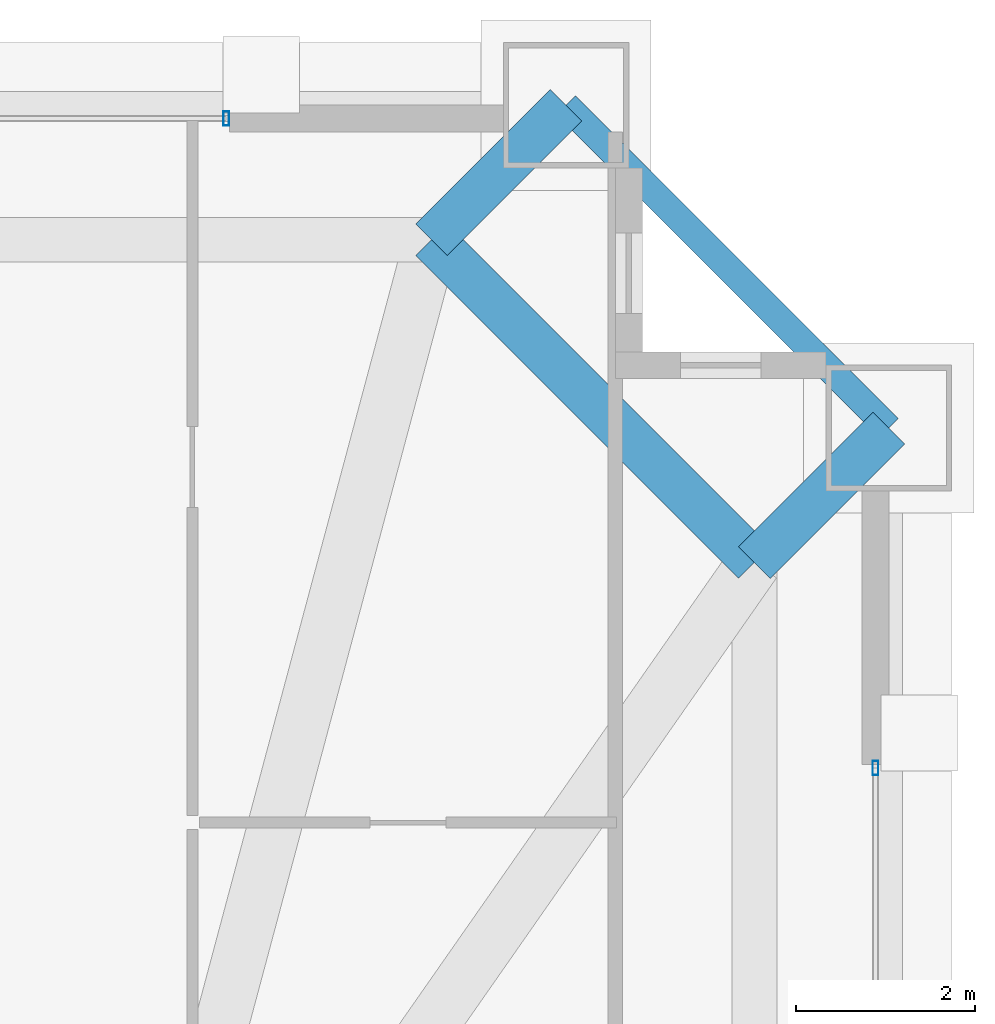
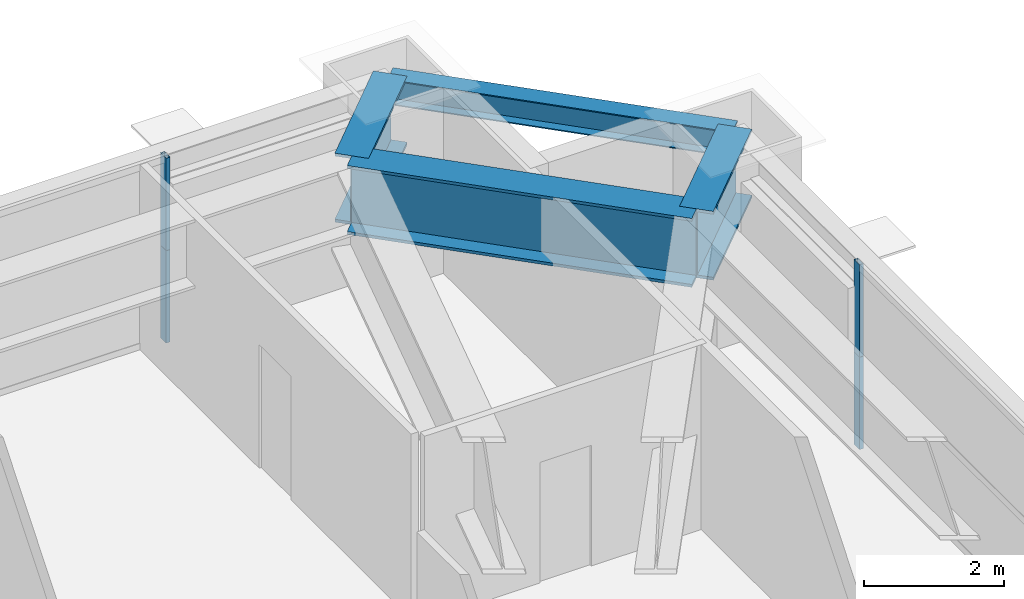
# One storey, part 32 of 39: 4 beams, 4 members, 2 elements without a shape of their own.
"""IFC4 building model written with IfcOpenShell, lengths in metres."""

from ifc_helpers import new_model, si_unit, direction, frame, origin, origin_2d, place, context, subcontext, project, spatial, hollow_rectangle, i_section, extrude, source, transform, mapped, material, layer, layer_set, material_profile, profile_set, type_object, element, aggregate, save


model = new_model("IFC4")

# Units and contexts
model_context = context("Model", 3, precision=1e-05, world=origin(), true_north=direction((0.0, 1.0)))
body_context = subcontext(model_context, "Body", "Model", "MODEL_VIEW")
ifc_project = project(units=[si_unit("LENGTHUNIT", "METRE"), si_unit("AREAUNIT", "SQUARE_METRE"), si_unit("VOLUMEUNIT", "CUBIC_METRE"), si_unit("PLANEANGLEUNIT", "RADIAN"), si_unit("MASSUNIT", "GRAM", prefix="KILO"), si_unit("THERMODYNAMICTEMPERATUREUNIT", "KELVIN"), si_unit("POWERUNIT", "WATT")], contexts=[model_context])

# Site, building, storey
site_placement = place(None, origin())
site = spatial("IfcSite", under=ifc_project, at=site_placement, CompositionType="ELEMENT")
building_placement = place(site_placement, origin())
building = spatial("IfcBuilding", under=site, at=building_placement, Name="Yuzanri Waterfront Tower", CompositionType="ELEMENT")
storey_placement = place(building_placement, frame((0.0, 0.0, 216.0)))
storey = spatial("IfcBuildingStorey", under=building, at=storey_placement, Name="L57", CompositionType="ELEMENT", Elevation=216.0)

# Beams
ifc_material_1 = material(Name="Steel Q420GJC", Category="steel")
ifc_material_profile_1 = material_profile(ifc_material_1, i_section(OverallWidth=0.5, OverallDepth=1.199951171875, WebThickness=0.028076171875, FlangeThickness=0.050048828125, at=origin_2d()), Name="PG 1200x500x28x50")
ifc_profile_set_1 = profile_set([ifc_material_profile_1], Name="Steel Q420GJC")
beam_type_1 = type_object("IfcBeamType", Name="Setback Transfer Girder Q420GJC PG 1200x500", PredefinedType="USERDEFINED", material=ifc_profile_set_1)
shared_shape_1 = source(origin(), body_context, "Body", "SweptSolid", [
    extrude(i_section(OverallWidth=0.5, OverallDepth=1.199951171875, WebThickness=0.028076171875, FlangeThickness=0.050048828125, at=origin_2d()), origin(), (0.0, 0.0, 1.0), 2.121337890625),
])
for number, where, z_axis, x_axis, name in (
    (1, (54.0, 46.39990234375, 2.6201171875), (0.707106781187, 0.707106781187, 0.0), (-0.707106781187, 0.707106781187, 0.0), "L57 Setback Step Transfer N3"),
    (2, (57.60009765625, 42.800048828125, 2.6201171875), (0.707106781187, 0.707106781187, 0.0), (-0.707106781187, 0.707106781187, 0.0), "L57 Setback Step Transfer E3"),
):
    element("IfcBeam", number, at=place(storey_placement, frame(where, z_axis=z_axis, x_axis=x_axis)), inside=storey, type_object=beam_type_1, Name=name, ObjectType="GIRDER", PredefinedType="USERDEFINED", context=body_context, shape_type="MappedRepresentation", body=[
        mapped(shared_shape_1, transform((0.0, 0.0, 0.0), scale=1.0)),
    ])
shared_shape_2 = source(origin(), body_context, "Body", "SweptSolid", [
    extrude(i_section(OverallWidth=0.5, OverallDepth=1.199951171875, WebThickness=0.028076171875, FlangeThickness=0.050048828125, at=origin_2d()), origin(), (0.0, 0.0, 1.0), 5.091064453125),
])
beam_1_placement = place(storey_placement, frame((57.60009765625, 42.800048828125, 2.6201171875), z_axis=(-0.707130757816, 0.707082803744, 0.0), x_axis=(-0.707082803744, -0.707130757816, 0.0)))
element("IfcBeam", 3, at=beam_1_placement, inside=storey, type_object=beam_type_1, Name="L57 Setback Upper Ring E3-N3", ObjectType="GIRDER", PredefinedType="USERDEFINED", context=body_context, shape_type="MappedRepresentation", body=[
    mapped(shared_shape_2, transform((0.0, 0.0, 0.0), scale=1.0)),
])
ifc_material_2 = material(Name="Steel Q355B", Category="steel")
ifc_material_profile_2 = material_profile(ifc_material_2, i_section(OverallWidth=0.300048828125, OverallDepth=0.43994140625, WebThickness=0.010986328125, FlangeThickness=0.01806640625, at=origin_2d()), Name="HM 440x300x11x18")
ifc_profile_set_2 = profile_set([ifc_material_profile_2], Name="Steel Q355B")
beam_type_2 = type_object("IfcBeamType", Name="Perimeter Spandrel Q355B HM 440x300", PredefinedType="SPANDREL", material=ifc_profile_set_2)
shared_shape_3 = source(origin(), body_context, "Body", "SweptSolid", [
    extrude(i_section(OverallWidth=0.300048828125, OverallDepth=0.43994140625, WebThickness=0.010986328125, FlangeThickness=0.01806640625, at=origin_2d()), origin(), (0.0, 0.0, 1.0), 5.091064453125),
])
beam_2_placement = place(storey_placement, frame((59.10009765625, 44.300048828125, 3.0), z_axis=(-0.707130757816, 0.707082803744, 0.0), x_axis=(-0.707082803744, -0.707130757816, 0.0)))
element("IfcBeam", 4, at=beam_2_placement, inside=storey, type_object=beam_type_2, Name="L57 Perimeter Spandrel E3-N3", PredefinedType="SPANDREL", context=body_context, shape_type="MappedRepresentation", body=[
    mapped(shared_shape_3, transform((0.0, 0.0, 0.0), scale=1.0)),
])

# Curtain wall, members
ifc_material_3 = material(Name="Anodized Architectural Bronze", Category="metal")
ifc_layer = layer(ifc_material_3, 0.159912109375)
ifc_layer_set = layer_set([ifc_layer], Name="Anodized Architectural Bronze")
curtain_wall_type = type_object("IfcCurtainWallType", Name="Anodized Bronze Mid-Rise Residential Acoustic Unitized Curtain Wall 7200", PredefinedType="NOTDEFINED", material=ifc_layer_set)
curtain_wall_1_placement = place(storey_placement, origin())
curtain_wall_1 = element("IfcCurtainWall", 5, at=curtain_wall_1_placement, inside=storey, type_object=curtain_wall_type, Name="L57 Curtain Wall CW-L57-NR", PredefinedType="NOTDEFINED")
ifc_material_4 = material(Name="Anodized Architectural Bronze", Category="metal")
ifc_material_profile_3 = material_profile(ifc_material_4, hollow_rectangle(XDim=0.06494140625, YDim=0.159912109375, WallThickness=0.00341796875, at=origin_2d()), Name="CWM 65x160")
ifc_profile_set_3 = profile_set([ifc_material_profile_3], Name="Anodized Architectural Bronze")
member_type = type_object("IfcMemberType", Name="Anodized Bronze Upper-Zone Curtain-Wall Mullion 65x160", PredefinedType="MULLION", material=ifc_profile_set_3)
shared_shape_4 = source(origin(), body_context, "Body", "SweptSolid", [
    extrude(hollow_rectangle(XDim=0.06494140625, YDim=0.159912109375, WallThickness=0.00341796875, at=origin_2d()), origin(), (0.0, 0.0, 1.0), 1.60791015625),
])
member_1_placement = place(storey_placement, frame((51.7099609375, 47.75, 0.0), z_axis=(0.0, 0.0, 1.0), x_axis=(1.0, 0.0, 0.0)))
member_1 = element("IfcMember", 6, at=member_1_placement, type_object=member_type, Name="CW-L57-NR Lower Mullion 02", PredefinedType="MULLION", context=body_context, shape_type="MappedRepresentation", body=[
    mapped(shared_shape_4, transform((0.0, 0.0, 0.0), scale=1.0)),
])
member_2_placement = place(storey_placement, frame((51.7099609375, 47.75, 1.612060546875), z_axis=(0.0, 0.0, 1.0), x_axis=(1.0, 0.0, 0.0)))
member_2 = element("IfcMember", 7, at=member_2_placement, type_object=member_type, Name="CW-L57-NR Upper Mullion 02", PredefinedType="MULLION", context=body_context, shape_type="MappedRepresentation", body=[
    mapped(shared_shape_4, transform((0.0, 0.0, 0.0), scale=1.0)),
])
aggregate(curtain_wall_1, [member_1, member_2])

curtain_wall_2_placement = place(storey_placement, origin())
curtain_wall_2 = element("IfcCurtainWall", 8, at=curtain_wall_2_placement, inside=storey, type_object=curtain_wall_type, Name="L57 Curtain Wall CW-L57-ER", PredefinedType="NOTDEFINED")
member_3_placement = place(storey_placement, frame((58.949951171875, 40.510009765625, 0.0), z_axis=(0.0, 0.0, 1.0), x_axis=(1.0, 0.0, 0.0)))
member_3 = element("IfcMember", 9, at=member_3_placement, type_object=member_type, Name="CW-L57-ER Lower Mullion 02", PredefinedType="MULLION", context=body_context, shape_type="MappedRepresentation", body=[
    mapped(shared_shape_4, transform((0.0, 0.0, 0.0), scale=1.0)),
])
member_4_placement = place(storey_placement, frame((58.949951171875, 40.510009765625, 1.612060546875), z_axis=(0.0, 0.0, 1.0), x_axis=(1.0, 0.0, 0.0)))
member_4 = element("IfcMember", 10, at=member_4_placement, type_object=member_type, Name="CW-L57-ER Upper Mullion 02", PredefinedType="MULLION", context=body_context, shape_type="MappedRepresentation", body=[
    mapped(shared_shape_4, transform((0.0, 0.0, 0.0), scale=1.0)),
])
aggregate(curtain_wall_2, [member_3, member_4])

save(model, "model.ifc")
